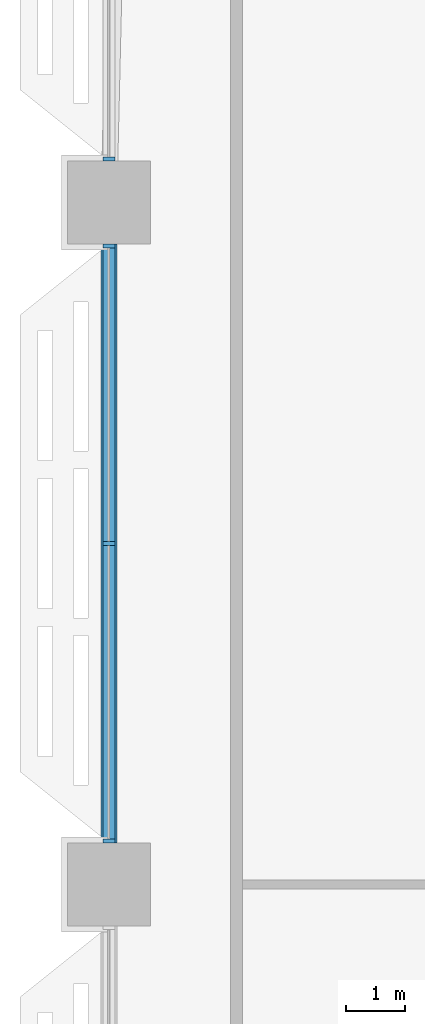
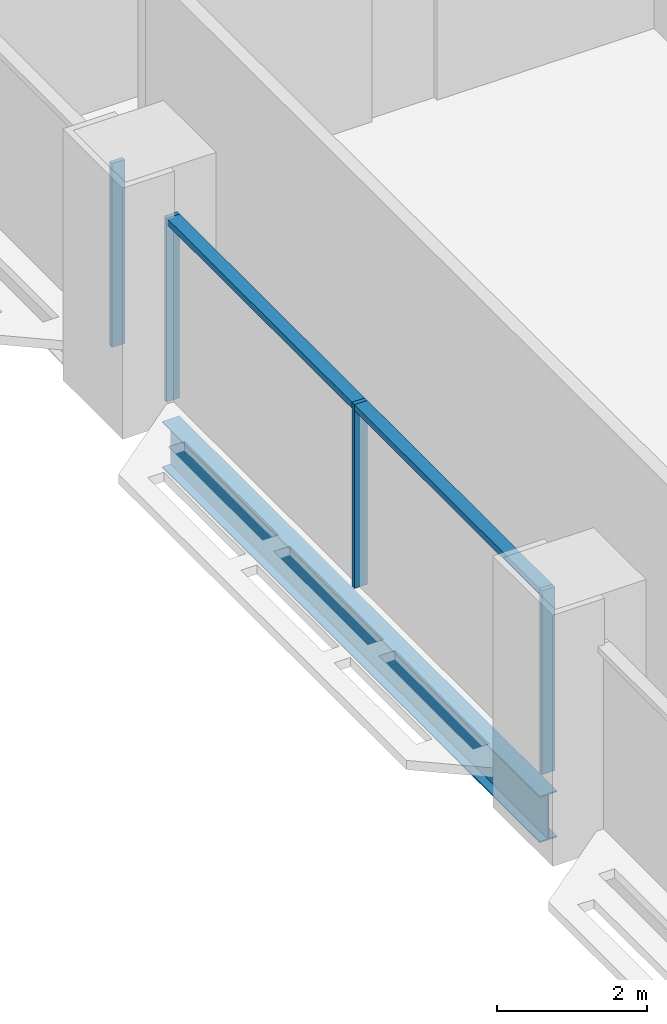
# One storey, part 4 of 29: 6 members, 1 beam, 2 elements without a shape of their own.
"""IFC4 building model written with IfcOpenShell, lengths in metres."""

from ifc_helpers import new_model, si_unit, direction, frame, origin, origin_2d, place, context, subcontext, project, spatial, rectangle, i_section, extrude, material, material_profile, profile_set, type_object, element, aggregate, save


model = new_model("IFC4")

# Units and contexts
model_context = context("Model", 3, precision=1e-05, world=origin(), true_north=direction((0.0, 1.0)))
body_context = subcontext(model_context, "Body", "Model", "MODEL_VIEW")
ifc_project = project(units=[si_unit("LENGTHUNIT", "METRE"), si_unit("AREAUNIT", "SQUARE_METRE"), si_unit("VOLUMEUNIT", "CUBIC_METRE"), si_unit("PLANEANGLEUNIT", "RADIAN"), si_unit("MASSUNIT", "GRAM", prefix="KILO")], contexts=[model_context])

# Site, building, storey
site_placement = place(None, origin())
site = spatial("IfcSite", under=ifc_project, at=site_placement, CompositionType="ELEMENT")
building_placement = place(site_placement, origin())
building = spatial("IfcBuilding", under=site, at=building_placement, Name="Mahtab Terrace Research Tower", CompositionType="ELEMENT")
storey_placement = place(building_placement, frame((0.0, 0.0, 88.89990234375)))
storey = spatial("IfcBuildingStorey", under=building, at=storey_placement, Name="L20", CompositionType="ELEMENT", Elevation=88.89990234375)

# Curtain wall, member
ifc_material_1 = material(Name="Laboratory ribbon curtain wall")
curtain_wall_type = type_object("IfcCurtainWallType", Name="Laboratory ribbon curtain wall", PredefinedType="NOTDEFINED", material=ifc_material_1)
curtain_wall_1_placement = place(storey_placement, origin())
curtain_wall_1 = element("IfcCurtainWall", 1, at=curtain_wall_1_placement, inside=storey, type_object=curtain_wall_type, Name="EN.L20.8.16", PredefinedType="NOTDEFINED")
ifc_material_2 = material(Name="Natural anodised aluminium", Category="aluminium")
ifc_material_profile_1 = material_profile(ifc_material_2, rectangle(XDim=0.199951171875, YDim=0.06494140625, at=origin_2d()), Name="MULLION 65x200")
ifc_profile_set_1 = profile_set([ifc_material_profile_1], Name="Natural anodised aluminium")
member_type_1 = type_object("IfcMemberType", Name="Laboratory ribbon curtain wall mullion", PredefinedType="MULLION", material=ifc_profile_set_1)
member_1_placement = place(storey_placement, frame((-42.0, 12.232421875, 0.0), z_axis=(0.0, 0.0, 1.0), x_axis=(1.0, 0.0, 0.0)))
member_1 = element("IfcMember", 2, at=member_1_placement, type_object=member_type_1, Name="CWL-3 mullion 3", PredefinedType="MULLION", context=body_context, shape_type="SweptSolid", body=[
    extrude(rectangle(XDim=0.199951171875, YDim=0.06494140625, at=origin_2d()), origin(), (0.0, 0.0, 1.0), 3.003173828125),
])
aggregate(curtain_wall_1, [member_1])

# Curtain wall, members
curtain_wall_2_placement = place(storey_placement, origin())
curtain_wall_2 = element("IfcCurtainWall", 3, at=curtain_wall_2_placement, inside=storey, type_object=curtain_wall_type, Name="EN.L20.8.17", PredefinedType="NOTDEFINED")
member_2_placement = place(storey_placement, frame((-42.0, 10.767578125, 0.0), z_axis=(0.0, 0.0, 1.0), x_axis=(1.0, 0.0, 0.0)))
member_2 = element("IfcMember", 4, at=member_2_placement, type_object=member_type_1, Name="CWL-3 mullion 1", PredefinedType="MULLION", context=body_context, shape_type="SweptSolid", body=[
    extrude(rectangle(XDim=0.199951171875, YDim=0.06494140625, at=origin_2d()), origin(), (0.0, 0.0, 1.0), 3.003173828125),
])
member_3_placement = place(storey_placement, frame((-42.0, 5.75, 0.0), z_axis=(0.0, 0.0, 1.0), x_axis=(1.0, 0.0, 0.0)))
member_3 = element("IfcMember", 5, at=member_3_placement, type_object=member_type_1, Name="CWL-3 mullion 2", PredefinedType="MULLION", context=body_context, shape_type="SweptSolid", body=[
    extrude(rectangle(XDim=0.199951171875, YDim=0.06494140625, at=origin_2d()), origin(), (0.0, 0.0, 1.0), 3.003173828125),
])
member_4_placement = place(storey_placement, frame((-42.0, 0.732421875, 0.0), z_axis=(0.0, 0.0, 1.0), x_axis=(1.0, 0.0, 0.0)))
member_4 = element("IfcMember", 6, at=member_4_placement, type_object=member_type_1, Name="CWL-3 mullion 3", PredefinedType="MULLION", context=body_context, shape_type="SweptSolid", body=[
    extrude(rectangle(XDim=0.199951171875, YDim=0.06494140625, at=origin_2d()), origin(), (0.0, 0.0, 1.0), 3.003173828125),
])
ifc_material_profile_2 = material_profile(ifc_material_2, rectangle(XDim=0.199951171875, YDim=0.10009765625, at=origin_2d()), Name="TRANSOM 100x200")
ifc_profile_set_2 = profile_set([ifc_material_profile_2], Name="Natural anodised aluminium")
member_type_2 = type_object("IfcMemberType", Name="Laboratory ribbon curtain wall transom", PredefinedType="USERDEFINED", material=ifc_profile_set_2)
member_5_placement = place(storey_placement, frame((-42.0, 10.735107421875, 2.953125), z_axis=(0.0, -1.0, 0.0), x_axis=(1.0, 0.0, 0.0)))
member_5 = element("IfcMember", 7, at=member_5_placement, type_object=member_type_2, Name="CWL-3 transom 1", ObjectType="TRANSOM", PredefinedType="USERDEFINED", context=body_context, shape_type="SweptSolid", body=[
    extrude(rectangle(XDim=0.199951171875, YDim=0.10009765625, at=origin_2d()), origin(), (0.0, 0.0, 1.0), 4.95263671875),
])
member_6_placement = place(storey_placement, frame((-42.0, 5.717529296875, 2.953125), z_axis=(0.0, -1.0, 0.0), x_axis=(1.0, 0.0, 0.0)))
member_6 = element("IfcMember", 8, at=member_6_placement, type_object=member_type_2, Name="CWL-3 transom 2", ObjectType="TRANSOM", PredefinedType="USERDEFINED", context=body_context, shape_type="SweptSolid", body=[
    extrude(rectangle(XDim=0.199951171875, YDim=0.10009765625, at=origin_2d()), origin(), (0.0, 0.0, 1.0), 4.95263671875),
])
aggregate(curtain_wall_2, [member_2, member_3, member_4, member_5, member_6])

# Beam
ifc_material_3 = material(Name="Steel ASTM A992 Gr 50", Category="steel")
ifc_material_profile_3 = material_profile(ifc_material_3, i_section(OverallWidth=0.2666015625, OverallDepth=0.7568359375, WebThickness=0.013916015625, FlangeThickness=0.019287109375, at=origin_2d()), Name="W30X108")
ifc_profile_set_3 = profile_set([ifc_material_profile_3], Name="Steel ASTM A992 Gr 50")
beam_type = type_object("IfcBeamType", Name="W30x108 beam BS30108", PredefinedType="BEAM", material=ifc_profile_set_3)
beam_placement = place(storey_placement, frame((-42.0, 10.800048828125, -0.71826171875), z_axis=(0.0, -1.0, 0.0), x_axis=(1.0, 0.0, 0.0)))
element("IfcBeam", 9, at=beam_placement, inside=storey, type_object=beam_type, Name="Spandrel beam L20 10", PredefinedType="BEAM", context=body_context, shape_type="SweptSolid", body=[
    extrude(i_section(OverallWidth=0.2666015625, OverallDepth=0.7568359375, WebThickness=0.013916015625, FlangeThickness=0.019287109375, at=origin_2d()), origin(), (0.0, 0.0, 1.0), 10.10009765625),
])

save(model, "model.ifc")
